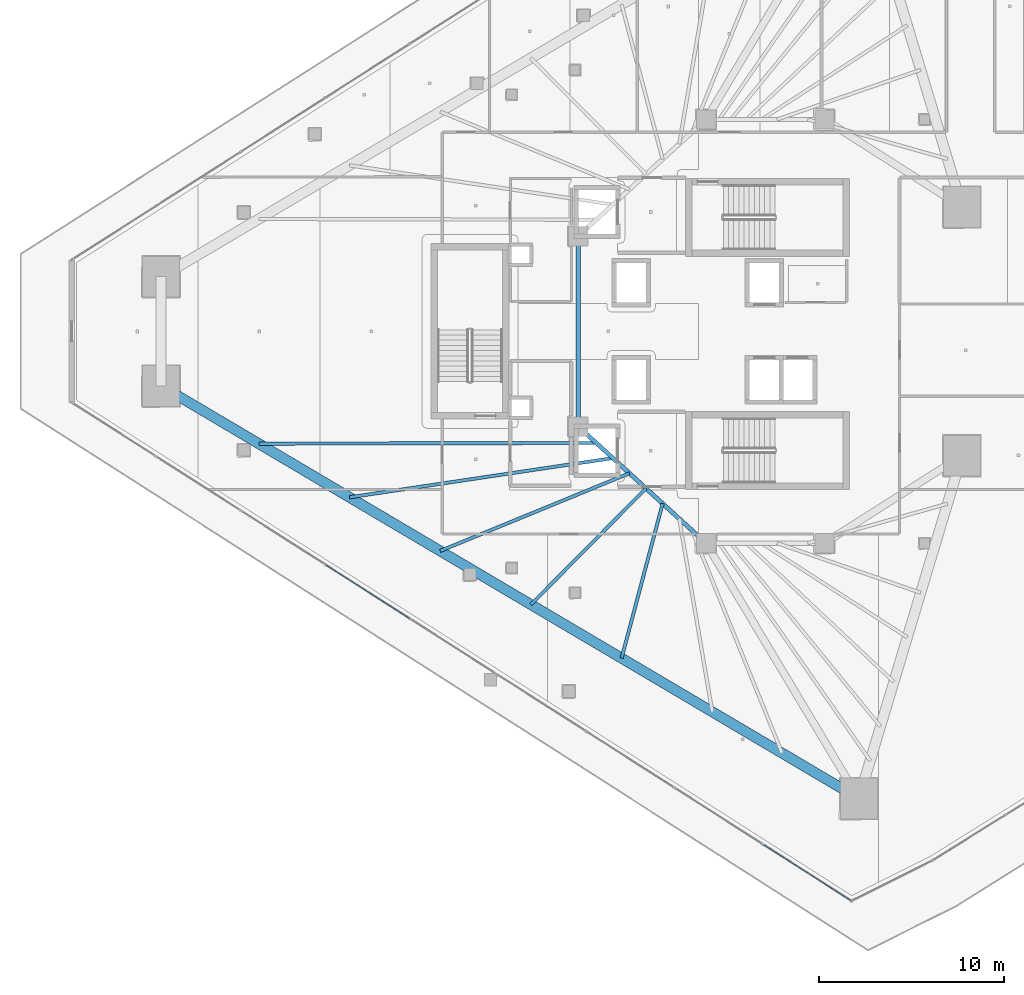
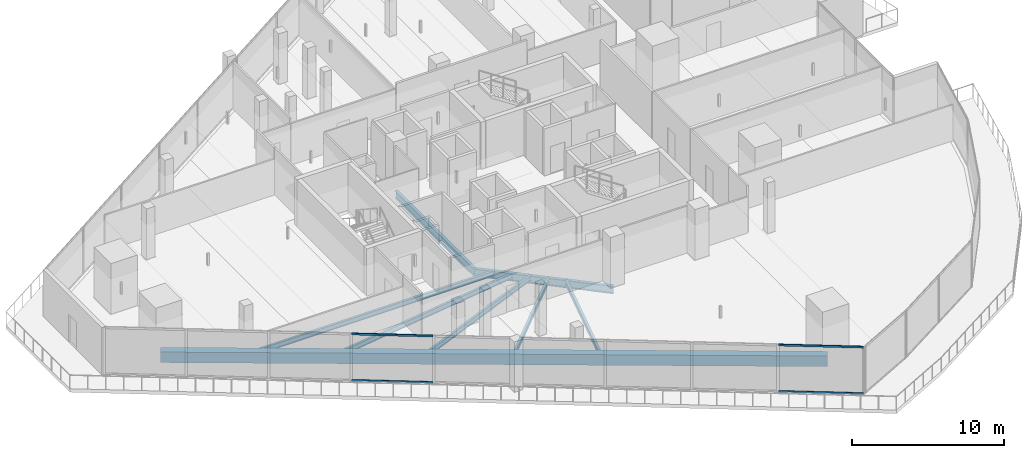
# One storey, part 5 of 35: 8 beams, 4 members, 2 elements without a shape of their own.
"""IFC4 building model written with IfcOpenShell, lengths in metres."""

from ifc_helpers import new_model, si_unit, direction, frame, origin, origin_2d, place, context, subcontext, project, spatial, rectangle, hollow_rectangle, i_section, extrude, material, layer, layer_set, material_profile, profile_set, type_object, element, aggregate, save


model = new_model("IFC4")

# Units and contexts
model_context = context("Model", 3, precision=1e-05, world=origin(), true_north=direction((0.0, 1.0)))
body_context = subcontext(model_context, "Body", "Model", "MODEL_VIEW")
ifc_project = project(units=[si_unit("LENGTHUNIT", "METRE"), si_unit("AREAUNIT", "SQUARE_METRE"), si_unit("VOLUMEUNIT", "CUBIC_METRE"), si_unit("PLANEANGLEUNIT", "RADIAN"), si_unit("MASSUNIT", "GRAM", prefix="KILO")], contexts=[model_context])

# Site, building, storey
site_placement = place(None, origin())
site = spatial("IfcSite", under=ifc_project, at=site_placement, CompositionType="ELEMENT")
building_placement = place(site_placement, origin())
building = spatial("IfcBuilding", under=site, at=building_placement, Name="Qorvath Tower", CompositionType="ELEMENT")
storey_placement = place(building_placement, frame((0.0, 0.0, 130.050048828125)))
storey = spatial("IfcBuildingStorey", under=building, at=storey_placement, Name="L29", CompositionType="ELEMENT", Elevation=130.050048828125)

# Beams
ifc_material_1 = material(Name="Steel ASTM A992 Grade 50", Category="steel")
ifc_material_profile_1 = material_profile(ifc_material_1, i_section(OverallWidth=0.22998046875, OverallDepth=0.616943359375, WebThickness=0.01318359375, FlangeThickness=0.022216796875, FilletRadius=0.014892578125, at=origin_2d()), Name="W24x94")
ifc_profile_set_1 = profile_set([ifc_material_profile_1], Name="Steel ASTM A992 Grade 50")
beam_type_1 = type_object("IfcBeamType", Name="BM-FG6", PredefinedType="BEAM", material=ifc_profile_set_1)
beam_1_placement = place(storey_placement, frame((-23.60009765625, -11.449951171875, -0.588623046875), z_axis=(-0.73847813985, 0.6742774184, 0.0), x_axis=(-0.6742774184, -0.73847813985, 0.0)))
element("IfcBeam", 1, at=beam_1_placement, inside=storey, type_object=beam_type_1, Name="Core Ring Girder CC4-CC6 L29", PredefinedType="BEAM", context=body_context, shape_type="SweptSolid", body=[
    extrude(i_section(OverallWidth=0.22998046875, OverallDepth=0.616943359375, WebThickness=0.01318359375, FlangeThickness=0.022216796875, FilletRadius=0.014892578125, at=origin_2d()), origin(), (0.0, 0.0, 1.0), 9.343505859375),
])
beam_2_placement = place(storey_placement, frame((-30.5, -5.14990234375, -0.588623046875), z_axis=(0.0, 1.0, 0.0), x_axis=(-1.0, 0.0, 0.0)))
element("IfcBeam", 2, at=beam_2_placement, inside=storey, type_object=beam_type_1, Name="Core Ring Girder CC6-CC5 L29", PredefinedType="BEAM", context=body_context, shape_type="SweptSolid", body=[
    extrude(i_section(OverallWidth=0.22998046875, OverallDepth=0.616943359375, WebThickness=0.01318359375, FlangeThickness=0.022216796875, FilletRadius=0.014892578125, at=origin_2d()), origin(), (0.0, 0.0, 1.0), 10.2998046875),
])
ifc_material_2 = material(Name="Steel ASTM A992 Grade 50", Category="steel")
ifc_material_profile_2 = material_profile(ifc_material_2, i_section(OverallWidth=0.177978515625, OverallDepth=0.406005859375, WebThickness=0.0078125, FlangeThickness=0.0126953125, FilletRadius=0.010986328125, at=origin_2d()), Name="W16x40")
ifc_profile_set_2 = profile_set([ifc_material_profile_2], Name="Steel ASTM A992 Grade 50")
beam_type_2 = type_object("IfcBeamType", Name="BM-FJ3", PredefinedType="JOIST", material=ifc_profile_set_2)
beam_3_placement = place(storey_placement, frame((-29.533935546875, -6.031982421875, -0.483154296875), z_axis=(-0.999997589883, -0.002195501951, 0.0), x_axis=(0.002195501951, -0.999997589883, 0.0)))
element("IfcBeam", 3, at=beam_3_placement, inside=storey, type_object=beam_type_2, Name="Composite Floor Joist SW1 L29", PredefinedType="JOIST", context=body_context, shape_type="SweptSolid", body=[
    extrude(i_section(OverallWidth=0.177978515625, OverallDepth=0.406005859375, WebThickness=0.0078125, FlangeThickness=0.0126953125, FilletRadius=0.010986328125, at=origin_2d()), origin(), (0.0, 0.0, 1.0), 18.23681640625),
])
beam_4_placement = place(storey_placement, frame((-28.636962890625, -6.85107421875, -0.483154296875), z_axis=(-0.989092860328, -0.147293291256, 0.0), x_axis=(0.147293291256, -0.989092860328, 0.0)))
element("IfcBeam", 4, at=beam_4_placement, inside=storey, type_object=beam_type_2, Name="Composite Floor Joist SW2 L29", PredefinedType="JOIST", context=body_context, shape_type="SweptSolid", body=[
    extrude(i_section(OverallWidth=0.177978515625, OverallDepth=0.406005859375, WebThickness=0.0078125, FlangeThickness=0.0126953125, FilletRadius=0.010986328125, at=origin_2d()), origin(), (0.0, 0.0, 1.0), 14.388916015625),
])
beam_5_placement = place(storey_placement, frame((-27.739990234375, -7.669921875, -0.483154296875), z_axis=(-0.925068176006, -0.379801092338, 0.0), x_axis=(0.379801092338, -0.925068176006, 0.0)))
element("IfcBeam", 5, at=beam_5_placement, inside=storey, type_object=beam_type_2, Name="Composite Floor Joist SW3 L29", PredefinedType="JOIST", context=body_context, shape_type="SweptSolid", body=[
    extrude(i_section(OverallWidth=0.177978515625, OverallDepth=0.406005859375, WebThickness=0.0078125, FlangeThickness=0.0126953125, FilletRadius=0.010986328125, at=origin_2d()), origin(), (0.0, 0.0, 1.0), 11.0556640625),
])
beam_6_placement = place(storey_placement, frame((-26.843017578125, -8.489013671875, -0.483154296875), z_axis=(-0.70395121362, -0.710248328997, 0.0), x_axis=(0.710248328997, -0.70395121362, 0.0)))
element("IfcBeam", 6, at=beam_6_placement, inside=storey, type_object=beam_type_2, Name="Composite Floor Joist SW4 L29", PredefinedType="JOIST", context=body_context, shape_type="SweptSolid", body=[
    extrude(i_section(OverallWidth=0.177978515625, OverallDepth=0.406005859375, WebThickness=0.0078125, FlangeThickness=0.0126953125, FilletRadius=0.010986328125, at=origin_2d()), origin(), (0.0, 0.0, 1.0), 8.839599609375),
])
beam_7_placement = place(storey_placement, frame((-25.946044921875, -9.30810546875, -0.483154296875), z_axis=(-0.256507909517, -0.966542131702, 0.0), x_axis=(0.966542131702, -0.256507909517, 0.0)))
element("IfcBeam", 7, at=beam_7_placement, inside=storey, type_object=beam_type_2, Name="Composite Floor Joist SW5 L29", PredefinedType="JOIST", context=body_context, shape_type="SweptSolid", body=[
    extrude(i_section(OverallWidth=0.177978515625, OverallDepth=0.406005859375, WebThickness=0.0078125, FlangeThickness=0.0126953125, FilletRadius=0.010986328125, at=origin_2d()), origin(), (0.0, 0.0, 1.0), 8.64697265625),
])
ifc_material_3 = material(Name="Concrete C50/60", Category="concrete")
ifc_material_profile_3 = material_profile(ifc_material_3, rectangle(XDim=0.550048828125, YDim=0.85009765625, at=origin_2d()), Name="RCB 850x550")
ifc_profile_set_3 = profile_set([ifc_material_profile_3], Name="Concrete C50/60")
beam_type_3 = type_object("IfcBeamType", Name="BM-RCB2", PredefinedType="SPANDREL", material=ifc_profile_set_3)
beam_8_placement = place(storey_placement, frame((-53.04931640625, -2.95068359375, -0.705078125), z_axis=(0.860775142889, -0.508985415689, 0.0), x_axis=(0.508985415689, 0.860775142889, 0.0)))
element("IfcBeam", 8, at=beam_8_placement, inside=storey, type_object=beam_type_3, Name="Perimeter Loggia Frame Beam MC2-MC3 L29", PredefinedType="SPANDREL", context=body_context, shape_type="SweptSolid", body=[
    extrude(rectangle(XDim=0.550048828125, YDim=0.85009765625, at=origin_2d()), origin(), (0.0, 0.0, 1.0), 43.8037109375),
])

# Curtain wall, members
ifc_material_4 = material(Name="Anodised aluminium and triple low-E glass", Category="aluminium")
ifc_layer = layer(ifc_material_4, 0.179931640625)
ifc_layer_set = layer_set([ifc_layer], Name="CW-SYS-2")
curtain_wall_type = type_object("IfcCurtainWallType", Name="CW-SYS-2", PredefinedType="NOTDEFINED", material=ifc_layer_set)
curtain_wall_1_placement = place(storey_placement, origin())
curtain_wall_1 = element("IfcCurtainWall", 9, at=curtain_wall_1_placement, inside=storey, type_object=curtain_wall_type, Name="Curtain Wall CW-2 CW-T-L29-2.1", PredefinedType="NOTDEFINED")
ifc_material_5 = material(Name="Anodised aluminium 6063-T6", Category="aluminium")
ifc_material_profile_4 = material_profile(ifc_material_5, hollow_rectangle(XDim=0.06494140625, YDim=0.159912109375, WallThickness=0.00341796875, InnerFilletRadius=0.00341796875, OuterFilletRadius=0.007080078125, at=origin_2d()), Name="CWT 160x65")
ifc_profile_set_4 = profile_set([ifc_material_profile_4], Name="Anodised aluminium 6063-T6")
member_type = type_object("IfcMemberType", Name="CWT-160", PredefinedType="USERDEFINED", material=ifc_profile_set_4)
member_1_placement = place(storey_placement, frame((-44.145751953125, -12.632568359375, 0.032470703125), z_axis=(0.842621067422, -0.538506951428, 0.0), x_axis=(0.538506951428, 0.842621067422, 0.0)))
member_1 = element("IfcMember", 10, at=member_1_placement, type_object=member_type, Name="CW-2 transom 4.1", ObjectType="TRANSOM", PredefinedType="USERDEFINED", context=body_context, shape_type="SweptSolid", body=[
    extrude(hollow_rectangle(XDim=0.06494140625, YDim=0.159912109375, WallThickness=0.00341796875, InnerFilletRadius=0.00341796875, OuterFilletRadius=0.007080078125, at=origin_2d()), origin(), (0.0, 0.0, 1.0), 5.361083984375),
])
member_2_placement = place(storey_placement, frame((-44.145751953125, -12.632568359375, 3.74755859375), z_axis=(0.842621067422, -0.538506951428, 0.0), x_axis=(0.538506951428, 0.842621067422, 0.0)))
member_2 = element("IfcMember", 11, at=member_2_placement, type_object=member_type, Name="CW-2 transom 4.2", ObjectType="TRANSOM", PredefinedType="USERDEFINED", context=body_context, shape_type="SweptSolid", body=[
    extrude(hollow_rectangle(XDim=0.06494140625, YDim=0.159912109375, WallThickness=0.00341796875, InnerFilletRadius=0.00341796875, OuterFilletRadius=0.007080078125, at=origin_2d()), origin(), (0.0, 0.0, 1.0), 5.361083984375),
])
aggregate(curtain_wall_1, [member_1, member_2])

curtain_wall_2_placement = place(storey_placement, origin())
curtain_wall_2 = element("IfcCurtainWall", 12, at=curtain_wall_2_placement, inside=storey, type_object=curtain_wall_type, Name="Curtain Wall CW-2 CW-T-L29-2.2", PredefinedType="NOTDEFINED")
member_3_placement = place(storey_placement, frame((-20.49560546875, -27.748046875, 0.032470703125), z_axis=(0.842599248295, -0.538541091071, 0.0), x_axis=(0.538541091071, 0.842599248295, 0.0)))
member_3 = element("IfcMember", 13, at=member_3_placement, type_object=member_type, Name="CW-2 transom 4.1", ObjectType="TRANSOM", PredefinedType="USERDEFINED", context=body_context, shape_type="SweptSolid", body=[
    extrude(hollow_rectangle(XDim=0.06494140625, YDim=0.159912109375, WallThickness=0.00341796875, InnerFilletRadius=0.00341796875, OuterFilletRadius=0.007080078125, at=origin_2d()), origin(), (0.0, 0.0, 1.0), 5.582763671875),
])
member_4_placement = place(storey_placement, frame((-20.49560546875, -27.748046875, 3.74755859375), z_axis=(0.842599248295, -0.538541091071, 0.0), x_axis=(0.538541091071, 0.842599248295, 0.0)))
member_4 = element("IfcMember", 14, at=member_4_placement, type_object=member_type, Name="CW-2 transom 4.2", ObjectType="TRANSOM", PredefinedType="USERDEFINED", context=body_context, shape_type="SweptSolid", body=[
    extrude(hollow_rectangle(XDim=0.06494140625, YDim=0.159912109375, WallThickness=0.00341796875, InnerFilletRadius=0.00341796875, OuterFilletRadius=0.007080078125, at=origin_2d()), origin(), (0.0, 0.0, 1.0), 5.582763671875),
])
aggregate(curtain_wall_2, [member_3, member_4])

save(model, "model.ifc")
